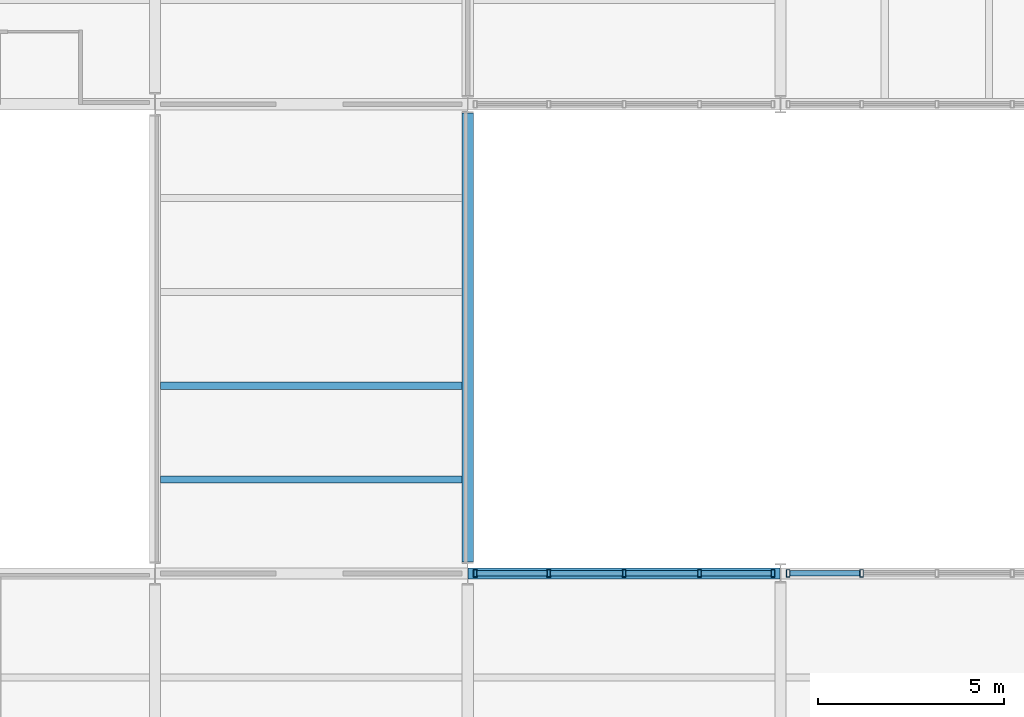
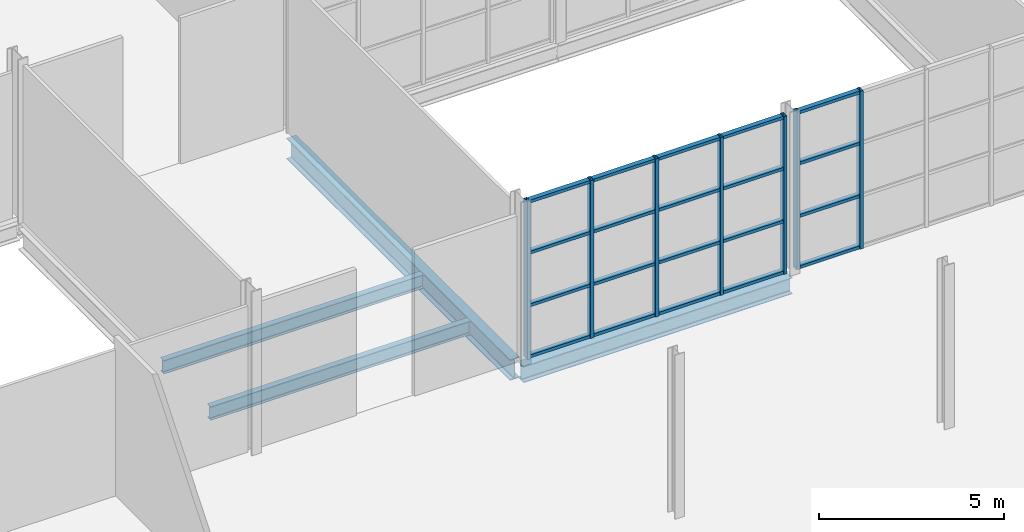
# One storey, part 18 of 57: 27 members, 4 beams, 2 elements without a shape of their own.
"""IFC4 building model written with IfcOpenShell, lengths in metres."""

from ifc_helpers import new_model, si_unit, direction, frame, origin, origin_2d, place, context, subcontext, project, spatial, hollow_rectangle, i_section, extrude, material, layer, layer_set, material_profile, profile_set, type_object, element, aggregate, save


model = new_model("IFC4")

# Units and contexts
model_context = context("Model", 3, precision=1e-05, world=origin(), true_north=direction((0.0, 1.0)))
body_context = subcontext(model_context, "Body", "Model", "MODEL_VIEW")
ifc_project = project(units=[si_unit("LENGTHUNIT", "METRE"), si_unit("AREAUNIT", "SQUARE_METRE"), si_unit("VOLUMEUNIT", "CUBIC_METRE"), si_unit("PLANEANGLEUNIT", "RADIAN"), si_unit("MASSUNIT", "GRAM", prefix="KILO")], contexts=[model_context])

# Site, building, storey
site_placement = place(None, origin())
site = spatial("IfcSite", under=ifc_project, at=site_placement, CompositionType="ELEMENT")
building_placement = place(site_placement, origin())
building = spatial("IfcBuilding", under=site, at=building_placement, Name="Galleria Vessillo Department Store", CompositionType="ELEMENT")
storey_placement = place(building_placement, frame((0.0, 0.0, 25.800048828125)))
storey = spatial("IfcBuildingStorey", under=building, at=storey_placement, Name="L05", CompositionType="ELEMENT", Elevation=25.800048828125)

# Beams
ifc_material_1 = material(Name="Steel S355 J2", Category="steel")
ifc_material_profile_1 = material_profile(ifc_material_1, i_section(OverallWidth=0.300048828125, OverallDepth=0.68994140625, WebThickness=0.014404296875, FlangeThickness=0.027099609375, FilletRadius=0.027099609375, at=origin_2d()), Name="HEA 700")
ifc_profile_set_1 = profile_set([ifc_material_profile_1], Name="Steel S355 J2")
beam_type_1 = type_object("IfcBeamType", Name="Bridge girder HEA 700", PredefinedType="BEAM", material=ifc_profile_set_1)
beam_1_placement = place(storey_placement, frame((84.0, 25.51025390625, -0.494873046875), z_axis=(0.0, 1.0, 0.0), x_axis=(-1.0, 0.0, 0.0)))
element("IfcBeam", 1, at=beam_1_placement, inside=storey, type_object=beam_type_1, Name="S-BM-L05-BR-y84000-25510", PredefinedType="BEAM", context=body_context, shape_type="SweptSolid", body=[
    extrude(i_section(OverallWidth=0.300048828125, OverallDepth=0.68994140625, WebThickness=0.014404296875, FlangeThickness=0.027099609375, FilletRadius=0.027099609375, at=origin_2d()), origin(), (0.0, 0.0, 1.0), 12.050537109375),
])
ifc_material_2 = material(Name="Steel S355 J2", Category="steel")
ifc_material_profile_2 = material_profile(ifc_material_2, i_section(OverallWidth=0.18994140625, OverallDepth=0.449951171875, WebThickness=0.009521484375, FlangeThickness=0.0146484375, FilletRadius=0.02099609375, at=origin_2d()), Name="IPE 450")
ifc_profile_set_2 = profile_set([ifc_material_profile_2], Name="Steel S355 J2")
beam_type_2 = type_object("IfcBeamType", Name="Floor joist IPE 450", PredefinedType="JOIST", material=ifc_profile_set_2)
for number, where, z_axis, x_axis, name in (
    (2, (75.750244140625, 27.719970703125, -0.375), (1.0, 0.0, 0.0), (0.0, 1.0, 0.0), "S-BM-L05-JO-x27720-75750"),
    (3, (75.750244140625, 30.239990234375, -0.375), (1.0, 0.0, 0.0), (0.0, 1.0, 0.0), "S-BM-L05-JO-x30240-75750"),
):
    element("IfcBeam", number, at=place(storey_placement, frame(where, z_axis=z_axis, x_axis=x_axis)), inside=storey, type_object=beam_type_2, Name=name, PredefinedType="JOIST", context=body_context, shape_type="SweptSolid", body=[
        extrude(i_section(OverallWidth=0.18994140625, OverallDepth=0.449951171875, WebThickness=0.009521484375, FlangeThickness=0.0146484375, FilletRadius=0.02099609375, at=origin_2d()), origin(), (0.0, 0.0, 1.0), 8.099609375),
    ])

# Curtain wall, members
ifc_material_3 = material(Name="Steel and fire-resisting glass curtain wall", Category="steel")
ifc_layer = layer(ifc_material_3, 0.199951171875)
ifc_layer_set = layer_set([ifc_layer], Name="Steel and fire-resisting glass curtain wall")
curtain_wall_type = type_object("IfcCurtainWallType", Name="Arcade fire-resisting glazed shopfront EI 120-Sa", PredefinedType="NOTDEFINED", material=ifc_layer_set)
curtain_wall_1_placement = place(storey_placement, origin())
curtain_wall_1 = element("IfcCurtainWall", 4, at=curtain_wall_1_placement, inside=storey, type_object=curtain_wall_type, Name="Arcade fire-resisting glazed shopfront EI 120-Sa AI-AE-S-L05-01", PredefinedType="NOTDEFINED")
ifc_material_4 = material(Name="Steel S355 J2", Category="steel")
ifc_material_profile_3 = material_profile(ifc_material_4, hollow_rectangle(XDim=0.199951171875, YDim=0.10009765625, WallThickness=0.008056640625, at=origin_2d()), Name="RHS 200x100x8")
ifc_profile_set_3 = profile_set([ifc_material_profile_3], Name="Steel S355 J2")
member_type_1 = type_object("IfcMemberType", Name="Steel mullion RHS 200x100x8", PredefinedType="MULLION", material=ifc_profile_set_3)
member_1_placement = place(storey_placement, frame((84.20263671875, 25.199951171875, 0.0), z_axis=(0.0, 0.0, 1.0), x_axis=(0.0, 1.0, 0.0)))
member_1 = element("IfcMember", 5, at=member_1_placement, type_object=member_type_1, Name="CW7 mullion 1", PredefinedType="MULLION", context=body_context, shape_type="SweptSolid", body=[
    extrude(hollow_rectangle(XDim=0.199951171875, YDim=0.10009765625, WallThickness=0.008056640625, at=origin_2d()), origin(), (0.0, 0.0, 1.0), 5.199951171875),
])
member_2_placement = place(storey_placement, frame((86.17626953125, 25.199951171875, 0.0), z_axis=(0.0, 0.0, 1.0), x_axis=(0.0, 1.0, 0.0)))
member_2 = element("IfcMember", 6, at=member_2_placement, type_object=member_type_1, Name="CW7 mullion 2", PredefinedType="MULLION", context=body_context, shape_type="SweptSolid", body=[
    extrude(hollow_rectangle(XDim=0.199951171875, YDim=0.10009765625, WallThickness=0.008056640625, at=origin_2d()), origin(), (0.0, 0.0, 1.0), 5.199951171875),
])
member_3_placement = place(storey_placement, frame((88.19970703125, 25.199951171875, 0.0), z_axis=(0.0, 0.0, 1.0), x_axis=(0.0, 1.0, 0.0)))
member_3 = element("IfcMember", 7, at=member_3_placement, type_object=member_type_1, Name="CW7 mullion 3", PredefinedType="MULLION", context=body_context, shape_type="SweptSolid", body=[
    extrude(hollow_rectangle(XDim=0.199951171875, YDim=0.10009765625, WallThickness=0.008056640625, at=origin_2d()), origin(), (0.0, 0.0, 1.0), 5.199951171875),
])
member_4_placement = place(storey_placement, frame((90.223388671875, 25.199951171875, 0.0), z_axis=(0.0, 0.0, 1.0), x_axis=(0.0, 1.0, 0.0)))
member_4 = element("IfcMember", 8, at=member_4_placement, type_object=member_type_1, Name="CW7 mullion 4", PredefinedType="MULLION", context=body_context, shape_type="SweptSolid", body=[
    extrude(hollow_rectangle(XDim=0.199951171875, YDim=0.10009765625, WallThickness=0.008056640625, at=origin_2d()), origin(), (0.0, 0.0, 1.0), 5.199951171875),
])
member_5_placement = place(storey_placement, frame((92.19677734375, 25.199951171875, 0.0), z_axis=(0.0, 0.0, 1.0), x_axis=(0.0, 1.0, 0.0)))
member_5 = element("IfcMember", 9, at=member_5_placement, type_object=member_type_1, Name="CW7 mullion 5", PredefinedType="MULLION", context=body_context, shape_type="SweptSolid", body=[
    extrude(hollow_rectangle(XDim=0.199951171875, YDim=0.10009765625, WallThickness=0.008056640625, at=origin_2d()), origin(), (0.0, 0.0, 1.0), 5.199951171875),
])

curtain_wall_2_placement = place(storey_placement, origin())
curtain_wall_2 = element("IfcCurtainWall", 10, at=curtain_wall_2_placement, inside=storey, type_object=curtain_wall_type, Name="Arcade fire-resisting glazed shopfront EI 120-Sa AI-AE-S-L05-02", PredefinedType="NOTDEFINED")
member_6_placement = place(storey_placement, frame((92.60302734375, 25.199951171875, 0.0), z_axis=(0.0, 0.0, 1.0), x_axis=(0.0, 1.0, 0.0)))
member_6 = element("IfcMember", 11, at=member_6_placement, type_object=member_type_1, Name="CW7 mullion 1", PredefinedType="MULLION", context=body_context, shape_type="SweptSolid", body=[
    extrude(hollow_rectangle(XDim=0.199951171875, YDim=0.10009765625, WallThickness=0.008056640625, at=origin_2d()), origin(), (0.0, 0.0, 1.0), 5.199951171875),
])
member_7_placement = place(storey_placement, frame((94.57666015625, 25.199951171875, 0.0), z_axis=(0.0, 0.0, 1.0), x_axis=(0.0, 1.0, 0.0)))
member_7 = element("IfcMember", 12, at=member_7_placement, type_object=member_type_1, Name="CW7 mullion 2", PredefinedType="MULLION", context=body_context, shape_type="SweptSolid", body=[
    extrude(hollow_rectangle(XDim=0.199951171875, YDim=0.10009765625, WallThickness=0.008056640625, at=origin_2d()), origin(), (0.0, 0.0, 1.0), 5.199951171875),
])

# Member
ifc_material_5 = material(Name="Steel S355 J2", Category="steel")
ifc_material_profile_4 = material_profile(ifc_material_5, hollow_rectangle(XDim=0.14990234375, YDim=0.10009765625, WallThickness=0.008056640625, at=origin_2d()), Name="RHS 150x100x8")
ifc_profile_set_4 = profile_set([ifc_material_profile_4], Name="Steel S355 J2")
member_type_2 = type_object("IfcMemberType", Name="Steel transom RHS 150x100x8", PredefinedType="USERDEFINED", material=ifc_profile_set_4)
member_8_placement = place(storey_placement, frame((84.252685546875, 25.199951171875, 0.050048828125), z_axis=(1.0, 0.0, 0.0), x_axis=(0.0, 1.0, 0.0)))
member_8 = element("IfcMember", 13, at=member_8_placement, type_object=member_type_2, Name="CW7 transom 1.1", ObjectType="TRANSOM", PredefinedType="USERDEFINED", context=body_context, shape_type="SweptSolid", body=[
    extrude(hollow_rectangle(XDim=0.14990234375, YDim=0.10009765625, WallThickness=0.008056640625, at=origin_2d()), origin(), (0.0, 0.0, 1.0), 1.87353515625),
])

member_9_placement = place(storey_placement, frame((84.252685546875, 25.199951171875, 1.7333984375), z_axis=(1.0, 0.0, 0.0), x_axis=(0.0, 1.0, 0.0)))
member_9 = element("IfcMember", 14, at=member_9_placement, type_object=member_type_2, Name="CW7 transom 1.2", ObjectType="TRANSOM", PredefinedType="USERDEFINED", context=body_context, shape_type="SweptSolid", body=[
    extrude(hollow_rectangle(XDim=0.14990234375, YDim=0.10009765625, WallThickness=0.008056640625, at=origin_2d()), origin(), (0.0, 0.0, 1.0), 1.87353515625),
])

member_10_placement = place(storey_placement, frame((84.252685546875, 25.199951171875, 3.466552734375), z_axis=(1.0, 0.0, 0.0), x_axis=(0.0, 1.0, 0.0)))
member_10 = element("IfcMember", 15, at=member_10_placement, type_object=member_type_2, Name="CW7 transom 1.3", ObjectType="TRANSOM", PredefinedType="USERDEFINED", context=body_context, shape_type="SweptSolid", body=[
    extrude(hollow_rectangle(XDim=0.14990234375, YDim=0.10009765625, WallThickness=0.008056640625, at=origin_2d()), origin(), (0.0, 0.0, 1.0), 1.87353515625),
])

member_11_placement = place(storey_placement, frame((84.252685546875, 25.199951171875, 5.14990234375), z_axis=(1.0, 0.0, 0.0), x_axis=(0.0, 1.0, 0.0)))
member_11 = element("IfcMember", 16, at=member_11_placement, type_object=member_type_2, Name="CW7 transom 1.4", ObjectType="TRANSOM", PredefinedType="USERDEFINED", context=body_context, shape_type="SweptSolid", body=[
    extrude(hollow_rectangle(XDim=0.14990234375, YDim=0.10009765625, WallThickness=0.008056640625, at=origin_2d()), origin(), (0.0, 0.0, 1.0), 1.87353515625),
])

member_12_placement = place(storey_placement, frame((86.22607421875, 25.199951171875, 0.050048828125), z_axis=(1.0, 0.0, 0.0), x_axis=(0.0, 1.0, 0.0)))
member_12 = element("IfcMember", 17, at=member_12_placement, type_object=member_type_2, Name="CW7 transom 2.1", ObjectType="TRANSOM", PredefinedType="USERDEFINED", context=body_context, shape_type="SweptSolid", body=[
    extrude(hollow_rectangle(XDim=0.14990234375, YDim=0.10009765625, WallThickness=0.008056640625, at=origin_2d()), origin(), (0.0, 0.0, 1.0), 1.923583984375),
])

member_13_placement = place(storey_placement, frame((86.22607421875, 25.199951171875, 1.7333984375), z_axis=(1.0, 0.0, 0.0), x_axis=(0.0, 1.0, 0.0)))
member_13 = element("IfcMember", 18, at=member_13_placement, type_object=member_type_2, Name="CW7 transom 2.2", ObjectType="TRANSOM", PredefinedType="USERDEFINED", context=body_context, shape_type="SweptSolid", body=[
    extrude(hollow_rectangle(XDim=0.14990234375, YDim=0.10009765625, WallThickness=0.008056640625, at=origin_2d()), origin(), (0.0, 0.0, 1.0), 1.923583984375),
])

member_14_placement = place(storey_placement, frame((86.22607421875, 25.199951171875, 3.466552734375), z_axis=(1.0, 0.0, 0.0), x_axis=(0.0, 1.0, 0.0)))
member_14 = element("IfcMember", 19, at=member_14_placement, type_object=member_type_2, Name="CW7 transom 2.3", ObjectType="TRANSOM", PredefinedType="USERDEFINED", context=body_context, shape_type="SweptSolid", body=[
    extrude(hollow_rectangle(XDim=0.14990234375, YDim=0.10009765625, WallThickness=0.008056640625, at=origin_2d()), origin(), (0.0, 0.0, 1.0), 1.923583984375),
])

member_15_placement = place(storey_placement, frame((86.22607421875, 25.199951171875, 5.14990234375), z_axis=(1.0, 0.0, 0.0), x_axis=(0.0, 1.0, 0.0)))
member_15 = element("IfcMember", 20, at=member_15_placement, type_object=member_type_2, Name="CW7 transom 2.4", ObjectType="TRANSOM", PredefinedType="USERDEFINED", context=body_context, shape_type="SweptSolid", body=[
    extrude(hollow_rectangle(XDim=0.14990234375, YDim=0.10009765625, WallThickness=0.008056640625, at=origin_2d()), origin(), (0.0, 0.0, 1.0), 1.923583984375),
])

member_16_placement = place(storey_placement, frame((88.249755859375, 25.199951171875, 0.050048828125), z_axis=(1.0, 0.0, 0.0), x_axis=(0.0, 1.0, 0.0)))
member_16 = element("IfcMember", 21, at=member_16_placement, type_object=member_type_2, Name="CW7 transom 3.1", ObjectType="TRANSOM", PredefinedType="USERDEFINED", context=body_context, shape_type="SweptSolid", body=[
    extrude(hollow_rectangle(XDim=0.14990234375, YDim=0.10009765625, WallThickness=0.008056640625, at=origin_2d()), origin(), (0.0, 0.0, 1.0), 1.923583984375),
])

member_17_placement = place(storey_placement, frame((88.249755859375, 25.199951171875, 1.7333984375), z_axis=(1.0, 0.0, 0.0), x_axis=(0.0, 1.0, 0.0)))
member_17 = element("IfcMember", 22, at=member_17_placement, type_object=member_type_2, Name="CW7 transom 3.2", ObjectType="TRANSOM", PredefinedType="USERDEFINED", context=body_context, shape_type="SweptSolid", body=[
    extrude(hollow_rectangle(XDim=0.14990234375, YDim=0.10009765625, WallThickness=0.008056640625, at=origin_2d()), origin(), (0.0, 0.0, 1.0), 1.923583984375),
])

member_18_placement = place(storey_placement, frame((88.249755859375, 25.199951171875, 3.466552734375), z_axis=(1.0, 0.0, 0.0), x_axis=(0.0, 1.0, 0.0)))
member_18 = element("IfcMember", 23, at=member_18_placement, type_object=member_type_2, Name="CW7 transom 3.3", ObjectType="TRANSOM", PredefinedType="USERDEFINED", context=body_context, shape_type="SweptSolid", body=[
    extrude(hollow_rectangle(XDim=0.14990234375, YDim=0.10009765625, WallThickness=0.008056640625, at=origin_2d()), origin(), (0.0, 0.0, 1.0), 1.923583984375),
])

member_19_placement = place(storey_placement, frame((88.249755859375, 25.199951171875, 5.14990234375), z_axis=(1.0, 0.0, 0.0), x_axis=(0.0, 1.0, 0.0)))
member_19 = element("IfcMember", 24, at=member_19_placement, type_object=member_type_2, Name="CW7 transom 3.4", ObjectType="TRANSOM", PredefinedType="USERDEFINED", context=body_context, shape_type="SweptSolid", body=[
    extrude(hollow_rectangle(XDim=0.14990234375, YDim=0.10009765625, WallThickness=0.008056640625, at=origin_2d()), origin(), (0.0, 0.0, 1.0), 1.923583984375),
])

member_20_placement = place(storey_placement, frame((90.273193359375, 25.199951171875, 0.050048828125), z_axis=(1.0, 0.0, 0.0), x_axis=(0.0, 1.0, 0.0)))
member_20 = element("IfcMember", 25, at=member_20_placement, type_object=member_type_2, Name="CW7 transom 4.1", ObjectType="TRANSOM", PredefinedType="USERDEFINED", context=body_context, shape_type="SweptSolid", body=[
    extrude(hollow_rectangle(XDim=0.14990234375, YDim=0.10009765625, WallThickness=0.008056640625, at=origin_2d()), origin(), (0.0, 0.0, 1.0), 1.87353515625),
])

member_21_placement = place(storey_placement, frame((90.273193359375, 25.199951171875, 1.7333984375), z_axis=(1.0, 0.0, 0.0), x_axis=(0.0, 1.0, 0.0)))
member_21 = element("IfcMember", 26, at=member_21_placement, type_object=member_type_2, Name="CW7 transom 4.2", ObjectType="TRANSOM", PredefinedType="USERDEFINED", context=body_context, shape_type="SweptSolid", body=[
    extrude(hollow_rectangle(XDim=0.14990234375, YDim=0.10009765625, WallThickness=0.008056640625, at=origin_2d()), origin(), (0.0, 0.0, 1.0), 1.87353515625),
])

member_22_placement = place(storey_placement, frame((90.273193359375, 25.199951171875, 3.466552734375), z_axis=(1.0, 0.0, 0.0), x_axis=(0.0, 1.0, 0.0)))
member_22 = element("IfcMember", 27, at=member_22_placement, type_object=member_type_2, Name="CW7 transom 4.3", ObjectType="TRANSOM", PredefinedType="USERDEFINED", context=body_context, shape_type="SweptSolid", body=[
    extrude(hollow_rectangle(XDim=0.14990234375, YDim=0.10009765625, WallThickness=0.008056640625, at=origin_2d()), origin(), (0.0, 0.0, 1.0), 1.87353515625),
])

member_23_placement = place(storey_placement, frame((90.273193359375, 25.199951171875, 5.14990234375), z_axis=(1.0, 0.0, 0.0), x_axis=(0.0, 1.0, 0.0)))
member_23 = element("IfcMember", 28, at=member_23_placement, type_object=member_type_2, Name="CW7 transom 4.4", ObjectType="TRANSOM", PredefinedType="USERDEFINED", context=body_context, shape_type="SweptSolid", body=[
    extrude(hollow_rectangle(XDim=0.14990234375, YDim=0.10009765625, WallThickness=0.008056640625, at=origin_2d()), origin(), (0.0, 0.0, 1.0), 1.87353515625),
])

aggregate(curtain_wall_1, [member_1, member_2, member_3, member_4, member_5, member_8, member_9, member_10, member_11, member_12, member_13, member_14, member_15, member_16, member_17, member_18, member_19, member_20, member_21, member_22, member_23])

member_24_placement = place(storey_placement, frame((92.653076171875, 25.199951171875, 0.050048828125), z_axis=(1.0, 0.0, 0.0), x_axis=(0.0, 1.0, 0.0)))
member_24 = element("IfcMember", 29, at=member_24_placement, type_object=member_type_2, Name="CW7 transom 1.1", ObjectType="TRANSOM", PredefinedType="USERDEFINED", context=body_context, shape_type="SweptSolid", body=[
    extrude(hollow_rectangle(XDim=0.14990234375, YDim=0.10009765625, WallThickness=0.008056640625, at=origin_2d()), origin(), (0.0, 0.0, 1.0), 1.87353515625),
])

member_25_placement = place(storey_placement, frame((92.653076171875, 25.199951171875, 1.7333984375), z_axis=(1.0, 0.0, 0.0), x_axis=(0.0, 1.0, 0.0)))
member_25 = element("IfcMember", 30, at=member_25_placement, type_object=member_type_2, Name="CW7 transom 1.2", ObjectType="TRANSOM", PredefinedType="USERDEFINED", context=body_context, shape_type="SweptSolid", body=[
    extrude(hollow_rectangle(XDim=0.14990234375, YDim=0.10009765625, WallThickness=0.008056640625, at=origin_2d()), origin(), (0.0, 0.0, 1.0), 1.87353515625),
])

member_26_placement = place(storey_placement, frame((92.653076171875, 25.199951171875, 3.466552734375), z_axis=(1.0, 0.0, 0.0), x_axis=(0.0, 1.0, 0.0)))
member_26 = element("IfcMember", 31, at=member_26_placement, type_object=member_type_2, Name="CW7 transom 1.3", ObjectType="TRANSOM", PredefinedType="USERDEFINED", context=body_context, shape_type="SweptSolid", body=[
    extrude(hollow_rectangle(XDim=0.14990234375, YDim=0.10009765625, WallThickness=0.008056640625, at=origin_2d()), origin(), (0.0, 0.0, 1.0), 1.87353515625),
])

member_27_placement = place(storey_placement, frame((92.653076171875, 25.199951171875, 5.14990234375), z_axis=(1.0, 0.0, 0.0), x_axis=(0.0, 1.0, 0.0)))
member_27 = element("IfcMember", 32, at=member_27_placement, type_object=member_type_2, Name="CW7 transom 1.4", ObjectType="TRANSOM", PredefinedType="USERDEFINED", context=body_context, shape_type="SweptSolid", body=[
    extrude(hollow_rectangle(XDim=0.14990234375, YDim=0.10009765625, WallThickness=0.008056640625, at=origin_2d()), origin(), (0.0, 0.0, 1.0), 1.87353515625),
])

aggregate(curtain_wall_2, [member_6, member_7, member_24, member_25, member_26, member_27])

# Beam
ifc_material_6 = material(Name="Steel S355 J2", Category="steel")
ifc_material_profile_5 = material_profile(ifc_material_6, i_section(OverallWidth=0.300048828125, OverallDepth=0.5400390625, WebThickness=0.012451171875, FlangeThickness=0.02392578125, FilletRadius=0.027099609375, at=origin_2d()), Name="HEA 550")
ifc_profile_set_5 = profile_set([ifc_material_profile_5], Name="Steel S355 J2")
beam_type_3 = type_object("IfcBeamType", Name="Trimmer beam HEA 550", PredefinedType="BEAM", material=ifc_profile_set_5)
beam_2_placement = place(storey_placement, frame((84.0107421875, 25.199951171875, -0.419921875), z_axis=(1.0, 0.0, 0.0), x_axis=(0.0, 1.0, 0.0)))
element("IfcBeam", 33, at=beam_2_placement, inside=storey, type_object=beam_type_3, Name="S-BM-L05-TR-x25200-84011", PredefinedType="BEAM", context=body_context, shape_type="SweptSolid", body=[
    extrude(i_section(OverallWidth=0.300048828125, OverallDepth=0.5400390625, WebThickness=0.012451171875, FlangeThickness=0.02392578125, FilletRadius=0.027099609375, at=origin_2d()), origin(), (0.0, 0.0, 1.0), 8.378662109375),
])

save(model, "model.ifc")
